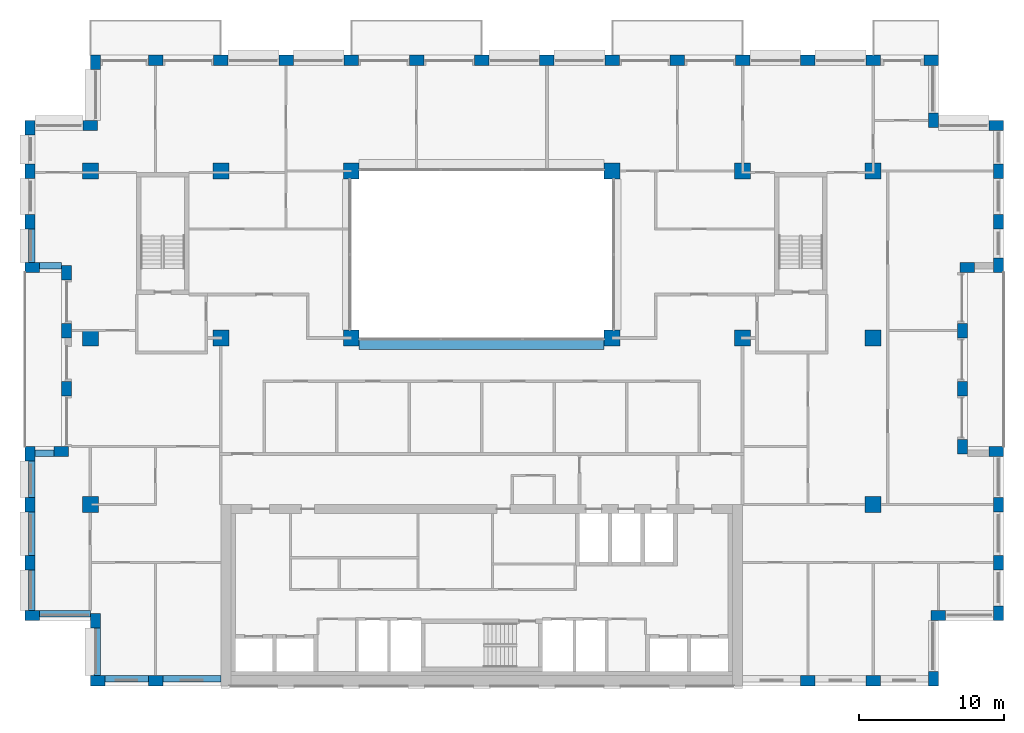
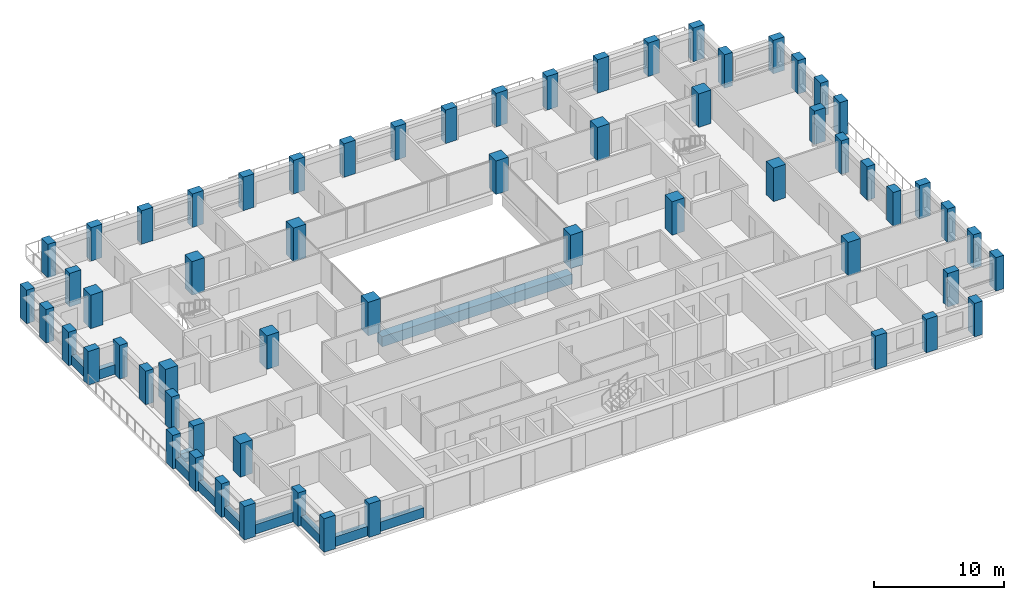
# One storey, part 1 of 15: 61 columns, 11 beams.
"""IFC4 building model written with IfcOpenShell, lengths in metres."""

from ifc_helpers import new_model, si_unit, direction, frame, origin, origin_2d, place, context, subcontext, project, spatial, rectangle, extrude, material, material_profile, profile_set, type_object, element, save


model = new_model("IFC4")

# Units and contexts
model_context = context("Model", 3, precision=1e-05, world=origin(), true_north=direction((0.0, 1.0)))
body_context = subcontext(model_context, "Body", "Model", "MODEL_VIEW")
ifc_project = project(units=[si_unit("LENGTHUNIT", "METRE"), si_unit("AREAUNIT", "SQUARE_METRE"), si_unit("VOLUMEUNIT", "CUBIC_METRE"), si_unit("PLANEANGLEUNIT", "RADIAN"), si_unit("MASSUNIT", "GRAM", prefix="KILO")], contexts=[model_context])

# Site, building, storey
site_placement = place(None, origin())
site = spatial("IfcSite", under=ifc_project, at=site_placement, CompositionType="ELEMENT")
building_placement = place(site_placement, origin())
building = spatial("IfcBuilding", under=site, at=building_placement, Name="Brigalow Station Residences", CompositionType="ELEMENT")
storey_placement = place(building_placement, frame((0.0, 0.0, 157.050048828125)))
storey = spatial("IfcBuildingStorey", under=building, at=storey_placement, Name="L45", CompositionType="ELEMENT", Elevation=157.050048828125)

# Columns
ifc_material_1 = material(Name="Concrete C65", Category="concrete")
ifc_material_profile_1 = material_profile(ifc_material_1, rectangle(XDim=1.10009765625, YDim=1.10009765625, at=origin_2d()), Name="RC1100x1100")
ifc_profile_set_1 = profile_set([ifc_material_profile_1], Name="Concrete C65")
column_type_1 = type_object("IfcColumnType", Name="COLUMN 1100x1100 C65", PredefinedType="COLUMN", material=ifc_profile_set_1)
for number, where, z_axis, x_axis, name in (
    (1, (9.0, 24.0, 0.0), (0.0, 0.0, 1.0), (1.0, 0.0, 0.0), "COLUMN C1 L45"),
    (2, (18.0, 24.0, 0.0), (0.0, 0.0, 1.0), (1.0, 0.0, 0.0), "COLUMN C2 L45"),
    (3, (27.0, 24.0, 0.0), (0.0, 0.0, 1.0), (1.0, 0.0, 0.0), "COLUMN C3 L45"),
    (4, (45.0, 24.0, 0.0), (0.0, 0.0, 1.0), (1.0, 0.0, 0.0), "COLUMN C5 L45"),
    (5, (54.0, 24.0, 0.0), (0.0, 0.0, 1.0), (1.0, 0.0, 0.0), "COLUMN C6 L45"),
    (6, (63.0, 24.0, 0.0), (0.0, 0.0, 1.0), (1.0, 0.0, 0.0), "COLUMN C7 L45"),
    (7, (9.0, 35.5, 0.0), (0.0, 0.0, 1.0), (1.0, 0.0, 0.0), "COLUMN D1 L45"),
    (8, (18.0, 35.5, 0.0), (0.0, 0.0, 1.0), (1.0, 0.0, 0.0), "COLUMN D2 L45"),
    (9, (27.0, 35.5, 0.0), (0.0, 0.0, 1.0), (1.0, 0.0, 0.0), "COLUMN D3 L45"),
    (10, (45.0, 35.5, 0.0), (0.0, 0.0, 1.0), (1.0, 0.0, 0.0), "COLUMN D5 L45"),
    (11, (54.0, 35.5, 0.0), (0.0, 0.0, 1.0), (1.0, 0.0, 0.0), "COLUMN D6 L45"),
    (12, (63.0, 35.5, 0.0), (0.0, 0.0, 1.0), (1.0, 0.0, 0.0), "COLUMN D7 L45"),
    (13, (9.0, 12.5, 0.0), (0.0, 0.0, 1.0), (1.0, 0.0, 0.0), "COLUMN B1 L45"),
    (14, (63.0, 12.5, 0.0), (0.0, 0.0, 1.0), (1.0, 0.0, 0.0), "COLUMN B7 L45"),
):
    element("IfcColumn", number, at=place(storey_placement, frame(where, z_axis=z_axis, x_axis=x_axis)), inside=storey, type_object=column_type_1, Name=name, PredefinedType="COLUMN", context=body_context, shape_type="SweptSolid", body=[
        extrude(rectangle(XDim=1.10009765625, YDim=1.10009765625, at=origin_2d()), origin(), (0.0, 0.0, 1.0), 3.14990234375),
    ])
ifc_material_2 = material(Name="Concrete C65", Category="concrete")
ifc_material_profile_2 = material_profile(ifc_material_2, rectangle(XDim=1.0, YDim=0.699951171875, at=origin_2d()), Name="RC1000x700")
ifc_profile_set_2 = profile_set([ifc_material_profile_2], Name="Concrete C65")
column_type_2 = type_object("IfcColumnType", Name="PIER 1000x700 C65", PredefinedType="USERDEFINED", material=ifc_profile_set_2)
for number, where, z_axis, x_axis, name in (
    (15, (9.5, 0.35009765625, 0.0), (0.0, 0.0, 1.0), (1.0, 0.0, 0.0), "PIER S-1 L45"),
    (16, (13.5, 0.35009765625, 0.0), (0.0, 0.0, 1.0), (1.0, 0.0, 0.0), "PIER S-2 L45"),
    (17, (58.5, 0.35009765625, 0.0), (0.0, 0.0, 1.0), (1.0, 0.0, 0.0), "PIER S-12 L45"),
    (18, (63.0, 0.35009765625, 0.0), (0.0, 0.0, 1.0), (1.0, 0.0, 0.0), "PIER S-13 L45"),
    (19, (67.14990234375, 0.5, 0.0), (0.0, 0.0, 1.0), (0.0, 1.0, 0.0), "PIER SE1-1 L45"),
    (20, (67.5, 4.85009765625, 0.0), (0.0, 0.0, 1.0), (1.0, 0.0, 0.0), "PIER SE2-1 L45"),
    (21, (71.64990234375, 5.0, 0.0), (0.0, 0.0, 1.0), (0.0, 1.0, 0.0), "PIER E1-1 L45"),
    (22, (71.64990234375, 8.5, 0.0), (0.0, 0.0, 1.0), (0.0, 1.0, 0.0), "PIER E1-2 L45"),
    (23, (71.64990234375, 12.5, 0.0), (0.0, 0.0, 1.0), (0.0, 1.0, 0.0), "PIER E1-3 L45"),
    (24, (71.5, 16.14990234375, 0.0), (0.0, 0.0, 1.0), (-1.0, 0.0, 0.0), "PIER EL1-1 L45"),
    (25, (69.14990234375, 16.5, 0.0), (0.0, 0.0, 1.0), (0.0, 1.0, 0.0), "PIER EL2-1 L45"),
    (26, (69.14990234375, 20.5, 0.0), (0.0, 0.0, 1.0), (0.0, 1.0, 0.0), "PIER EL2-2 L45"),
    (27, (69.14990234375, 24.5, 0.0), (0.0, 0.0, 1.0), (0.0, 1.0, 0.0), "PIER EL2-3 L45"),
    (28, (69.5, 28.85009765625, 0.0), (0.0, 0.0, 1.0), (1.0, 0.0, 0.0), "PIER EL3-1 L45"),
    (29, (71.64990234375, 29.0, 0.0), (0.0, 0.0, 1.0), (0.0, 1.0, 0.0), "PIER E2-1 L45"),
    (30, (71.64990234375, 32.0, 0.0), (0.0, 0.0, 1.0), (0.0, 1.0, 0.0), "PIER E2-2 L45"),
    (31, (71.64990234375, 35.5, 0.0), (0.0, 0.0, 1.0), (0.0, 1.0, 0.0), "PIER E2-3 L45"),
    (32, (71.5, 38.64990234375, 0.0), (0.0, 0.0, 1.0), (-1.0, 0.0, 0.0), "PIER NE1-1 L45"),
    (33, (67.14990234375, 39.0, 0.0), (0.0, 0.0, 1.0), (0.0, 1.0, 0.0), "PIER NE2-1 L45"),
    (34, (67.0, 43.14990234375, 0.0), (0.0, 0.0, 1.0), (-1.0, 0.0, 0.0), "PIER N-1 L45"),
    (35, (63.0, 43.14990234375, 0.0), (0.0, 0.0, 1.0), (-1.0, 0.0, 0.0), "PIER N-2 L45"),
    (36, (58.5, 43.14990234375, 0.0), (0.0, 0.0, 1.0), (-1.0, 0.0, 0.0), "PIER N-3 L45"),
    (37, (54.0, 43.14990234375, 0.0), (0.0, 0.0, 1.0), (-1.0, 0.0, 0.0), "PIER N-4 L45"),
    (38, (49.5, 43.14990234375, 0.0), (0.0, 0.0, 1.0), (-1.0, 0.0, 0.0), "PIER N-5 L45"),
    (39, (45.0, 43.14990234375, 0.0), (0.0, 0.0, 1.0), (-1.0, 0.0, 0.0), "PIER N-6 L45"),
    (40, (40.5, 43.14990234375, 0.0), (0.0, 0.0, 1.0), (-1.0, 0.0, 0.0), "PIER N-7 L45"),
    (41, (36.0, 43.14990234375, 0.0), (0.0, 0.0, 1.0), (-1.0, 0.0, 0.0), "PIER N-8 L45"),
    (42, (31.5, 43.14990234375, 0.0), (0.0, 0.0, 1.0), (-1.0, 0.0, 0.0), "PIER N-9 L45"),
    (43, (27.0, 43.14990234375, 0.0), (0.0, 0.0, 1.0), (-1.0, 0.0, 0.0), "PIER N-10 L45"),
    (44, (22.5, 43.14990234375, 0.0), (0.0, 0.0, 1.0), (-1.0, 0.0, 0.0), "PIER N-11 L45"),
    (45, (18.0, 43.14990234375, 0.0), (0.0, 0.0, 1.0), (-1.0, 0.0, 0.0), "PIER N-12 L45"),
    (46, (13.5, 43.14990234375, 0.0), (0.0, 0.0, 1.0), (-1.0, 0.0, 0.0), "PIER N-13 L45"),
    (47, (9.35009765625, 43.0, 0.0), (0.0, 0.0, 1.0), (0.0, -1.0, 0.0), "PIER NW1-1 L45"),
    (48, (9.0, 38.64990234375, 0.0), (0.0, 0.0, 1.0), (-1.0, 0.0, 0.0), "PIER NW2-1 L45"),
    (49, (4.85009765625, 38.5, 0.0), (0.0, 0.0, 1.0), (0.0, -1.0, 0.0), "PIER W2-1 L45"),
    (50, (4.85009765625, 35.5, 0.0), (0.0, 0.0, 1.0), (0.0, -1.0, 0.0), "PIER W2-2 L45"),
    (51, (4.85009765625, 32.0, 0.0), (0.0, 0.0, 1.0), (0.0, -1.0, 0.0), "PIER W2-3 L45"),
    (52, (5.0, 28.85009765625, 0.0), (0.0, 0.0, 1.0), (1.0, 0.0, 0.0), "PIER WL1-1 L45"),
    (53, (7.35009765625, 28.5, 0.0), (0.0, 0.0, 1.0), (0.0, -1.0, 0.0), "PIER WL2-1 L45"),
    (54, (7.35009765625, 24.5, 0.0), (0.0, 0.0, 1.0), (0.0, -1.0, 0.0), "PIER WL2-2 L45"),
    (55, (7.35009765625, 20.5, 0.0), (0.0, 0.0, 1.0), (0.0, -1.0, 0.0), "PIER WL2-3 L45"),
    (56, (7.0, 16.14990234375, 0.0), (0.0, 0.0, 1.0), (-1.0, 0.0, 0.0), "PIER WL3-1 L45"),
    (57, (4.85009765625, 16.0, 0.0), (0.0, 0.0, 1.0), (0.0, -1.0, 0.0), "PIER W1-1 L45"),
    (58, (4.85009765625, 12.5, 0.0), (0.0, 0.0, 1.0), (0.0, -1.0, 0.0), "PIER W1-2 L45"),
    (59, (4.85009765625, 8.5, 0.0), (0.0, 0.0, 1.0), (0.0, -1.0, 0.0), "PIER W1-3 L45"),
    (60, (5.0, 4.85009765625, 0.0), (0.0, 0.0, 1.0), (1.0, 0.0, 0.0), "PIER SW1-1 L45"),
    (61, (9.35009765625, 4.5, 0.0), (0.0, 0.0, 1.0), (0.0, -1.0, 0.0), "PIER SW2-1 L45"),
):
    element("IfcColumn", number, at=place(storey_placement, frame(where, z_axis=z_axis, x_axis=x_axis)), inside=storey, type_object=column_type_2, Name=name, ObjectType="PIER", PredefinedType="USERDEFINED", context=body_context, shape_type="SweptSolid", body=[
        extrude(rectangle(XDim=1.0, YDim=0.699951171875, at=origin_2d()), origin(), (0.0, 0.0, 1.0), 3.14990234375),
    ])

# Beams
ifc_material_3 = material(Name="Concrete C65", Category="concrete")
ifc_material_profile_3 = material_profile(ifc_material_3, rectangle(XDim=0.800048828125, YDim=0.949951171875, at=origin_2d()), Name="RC800x950")
ifc_profile_set_3 = profile_set([ifc_material_profile_3], Name="Concrete C65")
beam_type_1 = type_object("IfcBeamType", Name="ATRIUM EDGE GIRDER OVER 13.5 M SPAN 800x950 C65", PredefinedType="BEAM", material=ifc_profile_set_3)
beam_1_placement = place(storey_placement, frame((27.550048828125, 23.60009765625, -0.795166015625), z_axis=(1.0, 0.0, 0.0), x_axis=(0.0, 1.0, 0.0)))
element("IfcBeam", 62, at=beam_1_placement, inside=storey, type_object=beam_type_1, Name="ATRIUM EDGE GIRDER C L45", PredefinedType="BEAM", context=body_context, shape_type="SweptSolid", body=[
    extrude(rectangle(XDim=0.800048828125, YDim=0.949951171875, at=origin_2d()), origin(), (0.0, 0.0, 1.0), 16.89990234375),
])
ifc_material_4 = material(Name="Concrete C50", Category="concrete")
ifc_material_profile_4 = material_profile(ifc_material_4, rectangle(XDim=0.449951171875, YDim=0.89990234375, at=origin_2d()), Name="RC450x900")
ifc_profile_set_4 = profile_set([ifc_material_profile_4], Name="Concrete C50")
beam_type_2 = type_object("IfcBeamType", Name="SPANDREL BEAM 450x900 C50", PredefinedType="SPANDREL", material=ifc_profile_set_4)
beam_2_placement = place(storey_placement, frame((10.0, 0.47509765625, 0.449951171875), z_axis=(1.0, 0.0, 0.0), x_axis=(0.0, 1.0, 0.0)))
element("IfcBeam", 63, at=beam_2_placement, inside=storey, type_object=beam_type_2, Name="L45/spandrel/W-L45-1", PredefinedType="SPANDREL", context=body_context, shape_type="SweptSolid", body=[
    extrude(rectangle(XDim=0.449951171875, YDim=0.89990234375, at=origin_2d()), origin(), (0.0, 0.0, 1.0), 3.0),
])
beam_3_placement = place(storey_placement, frame((14.0, 0.47509765625, 0.449951171875), z_axis=(1.0, 0.0, 0.0), x_axis=(0.0, 1.0, 0.0)))
element("IfcBeam", 64, at=beam_3_placement, inside=storey, type_object=beam_type_2, Name="L45/spandrel/W-L45-2", PredefinedType="SPANDREL", context=body_context, shape_type="SweptSolid", body=[
    extrude(rectangle(XDim=0.449951171875, YDim=0.89990234375, at=origin_2d()), origin(), (0.0, 0.0, 1.0), 4.0),
])
beam_4_placement = place(storey_placement, frame((4.97509765625, 31.5, 0.449951171875), z_axis=(0.0, -1.0, 0.0), x_axis=(1.0, 0.0, 0.0)))
element("IfcBeam", 65, at=beam_4_placement, inside=storey, type_object=beam_type_2, Name="L45/spandrel/W-L45-39", PredefinedType="SPANDREL", context=body_context, shape_type="SweptSolid", body=[
    extrude(rectangle(XDim=0.449951171875, YDim=0.89990234375, at=origin_2d()), origin(), (0.0, 0.0, 1.0), 2.300048828125),
])
beam_5_placement = place(storey_placement, frame((5.5, 28.97509765625, 0.449951171875), z_axis=(1.0, 0.0, 0.0), x_axis=(0.0, 1.0, 0.0)))
element("IfcBeam", 66, at=beam_5_placement, inside=storey, type_object=beam_type_2, Name="L45/spandrel/W-L45-40", PredefinedType="SPANDREL", context=body_context, shape_type="SweptSolid", body=[
    extrude(rectangle(XDim=0.449951171875, YDim=0.89990234375, at=origin_2d()), origin(), (0.0, 0.0, 1.0), 1.5),
])
beam_6_placement = place(storey_placement, frame((6.5, 16.02490234375, 0.449951171875), z_axis=(-1.0, 0.0, 0.0), x_axis=(0.0, -1.0, 0.0)))
element("IfcBeam", 67, at=beam_6_placement, inside=storey, type_object=beam_type_2, Name="L45/spandrel/W-L45-44", PredefinedType="SPANDREL", context=body_context, shape_type="SweptSolid", body=[
    extrude(rectangle(XDim=0.449951171875, YDim=0.89990234375, at=origin_2d()), origin(), (0.0, 0.0, 1.0), 1.300048828125),
])
beam_7_placement = place(storey_placement, frame((4.97509765625, 15.5, 0.449951171875), z_axis=(0.0, -1.0, 0.0), x_axis=(1.0, 0.0, 0.0)))
element("IfcBeam", 68, at=beam_7_placement, inside=storey, type_object=beam_type_2, Name="L45/spandrel/W-L45-45", PredefinedType="SPANDREL", context=body_context, shape_type="SweptSolid", body=[
    extrude(rectangle(XDim=0.449951171875, YDim=0.89990234375, at=origin_2d()), origin(), (0.0, 0.0, 1.0), 2.5),
])
beam_8_placement = place(storey_placement, frame((4.97509765625, 12.0, 0.449951171875), z_axis=(0.0, -1.0, 0.0), x_axis=(1.0, 0.0, 0.0)))
element("IfcBeam", 69, at=beam_8_placement, inside=storey, type_object=beam_type_2, Name="L45/spandrel/W-L45-46", PredefinedType="SPANDREL", context=body_context, shape_type="SweptSolid", body=[
    extrude(rectangle(XDim=0.449951171875, YDim=0.89990234375, at=origin_2d()), origin(), (0.0, 0.0, 1.0), 3.0),
])
beam_9_placement = place(storey_placement, frame((4.97509765625, 8.0, 0.449951171875), z_axis=(0.0, -1.0, 0.0), x_axis=(1.0, 0.0, 0.0)))
element("IfcBeam", 70, at=beam_9_placement, inside=storey, type_object=beam_type_2, Name="L45/spandrel/W-L45-47", PredefinedType="SPANDREL", context=body_context, shape_type="SweptSolid", body=[
    extrude(rectangle(XDim=0.449951171875, YDim=0.89990234375, at=origin_2d()), origin(), (0.0, 0.0, 1.0), 2.800048828125),
])
beam_10_placement = place(storey_placement, frame((5.5, 4.97509765625, 0.449951171875), z_axis=(1.0, 0.0, 0.0), x_axis=(0.0, 1.0, 0.0)))
element("IfcBeam", 71, at=beam_10_placement, inside=storey, type_object=beam_type_2, Name="L45/spandrel/W-L45-48", PredefinedType="SPANDREL", context=body_context, shape_type="SweptSolid", body=[
    extrude(rectangle(XDim=0.449951171875, YDim=0.89990234375, at=origin_2d()), origin(), (0.0, 0.0, 1.0), 3.5),
])
beam_11_placement = place(storey_placement, frame((9.47509765625, 4.0, 0.449951171875), z_axis=(0.0, -1.0, 0.0), x_axis=(1.0, 0.0, 0.0)))
element("IfcBeam", 72, at=beam_11_placement, inside=storey, type_object=beam_type_2, Name="L45/spandrel/W-L45-49", PredefinedType="SPANDREL", context=body_context, shape_type="SweptSolid", body=[
    extrude(rectangle(XDim=0.449951171875, YDim=0.89990234375, at=origin_2d()), origin(), (0.0, 0.0, 1.0), 3.300048828125),
])

save(model, "model.ifc")
